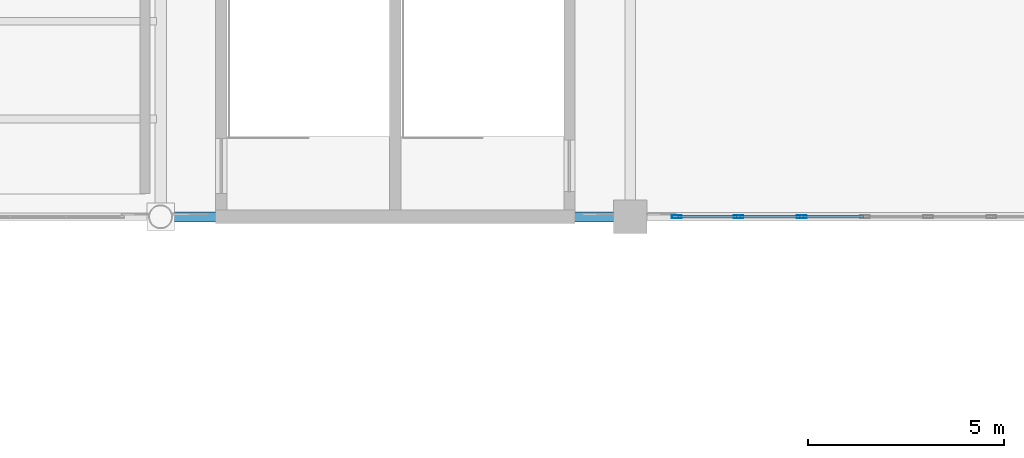
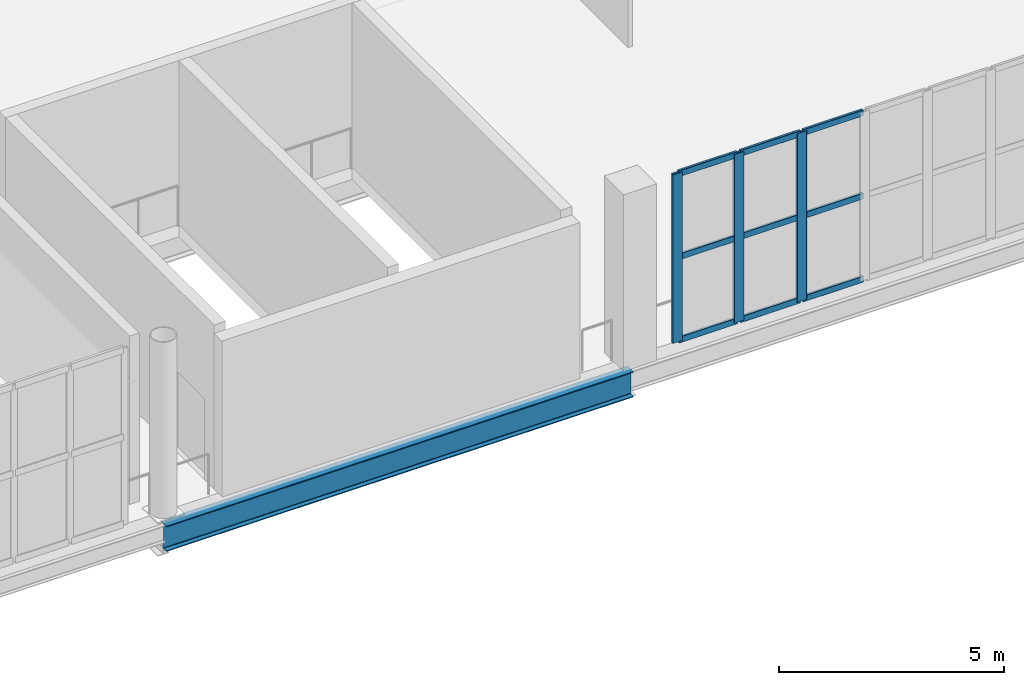
# One storey, part 8 of 49: 12 members, 1 beam, 1 element without a shape of its own.
"""IFC4 building model written with IfcOpenShell, lengths in metres."""

import ifcopenshell
import ifcopenshell.guid

model = None  # the IFC model being written
_history = None  # IfcOwnerHistory: only IFC2X3 demands one
_inside = {}  # id of a spatial element -> (the spatial element, [elements in it])
_under = {}  # id of a project, library or spatial element -> (it, [spatial elements below it])
_declared = {}  # id of a project -> (the project, [libraries it declares])
_typed = {}  # id of a type object -> (the type object, [elements of that type])
_made_of = {}  # id of a material, layer set ... -> (it, [elements and type objects made of it])


def new_model(schema):
    """Start an empty IFC model of exactly this schema.

    Asked for "IFC4X3", IfcOpenShell would pick the latest addendum, in which some entities
    have other attributes; the version numbers below select the first issue.
    IFC2X3 requires an IfcOwnerHistory on every rooted entity: one is made here for all.
    """
    global model, _history
    if schema == "IFC4X3":
        model = ifcopenshell.file(schema_version=(4, 3, 0, 0))
    else:
        model = ifcopenshell.file(schema=schema)
    _inside.clear()
    _under.clear()
    _declared.clear()
    _typed.clear()
    _made_of.clear()
    _history = None
    if model.schema == "IFC2X3":
        org = make("IfcOrganization", Name="unknown")
        user = make(
            "IfcPersonAndOrganization",
            ThePerson=make("IfcPerson", FamilyName="unknown"),
            TheOrganization=org,
        )
        app = make(
            "IfcApplication",
            ApplicationDeveloper=org,
            Version="unknown",
            ApplicationFullName="unknown",
            ApplicationIdentifier="unknown",
        )
        _history = make(
            "IfcOwnerHistory",
            OwningUser=user,
            OwningApplication=app,
            ChangeAction="ADDED",
            CreationDate=0,
        )
    return model


def make(cls, **values):
    """One entity of the class cls with the attributes given. An attribute that is None is left unset."""
    return model.create_entity(
        cls, **{name: value for name, value in values.items() if value is not None}
    )


def rooted(cls, **values):
    """An entity with a GlobalId (a new one), such as an element, a storey or a relation."""
    return make(cls, GlobalId=ifcopenshell.guid.new(), OwnerHistory=_history, **values)


def si_unit(unit_type, name, prefix=None):
    """IfcSIUnit, for example si_unit("LENGTHUNIT", "METRE", prefix="MILLI")."""
    return make("IfcSIUnit", UnitType=unit_type, Prefix=prefix, Name=name)


def assignment(units):
    """IfcUnitAssignment: the units of a project."""
    return None if units is None else make("IfcUnitAssignment", Units=units)


def point(xyz):
    """IfcCartesianPoint."""
    return None if xyz is None else make("IfcCartesianPoint", Coordinates=xyz)


def direction(xyz):
    """IfcDirection."""
    return None if xyz is None else make("IfcDirection", DirectionRatios=xyz)


def frame(location, z_axis=None, x_axis=None):
    """IfcAxis2Placement3D, a coordinate frame: its origin and axes. An axis left out is left unset."""
    return make(
        "IfcAxis2Placement3D",
        Location=point(location),
        Axis=direction(z_axis),
        RefDirection=direction(x_axis),
    )


def frame_2d(location, x_axis=None):
    """IfcAxis2Placement2D, a coordinate frame in the plane: its origin and x axis."""
    return make(
        "IfcAxis2Placement2D", Location=point(location), RefDirection=direction(x_axis)
    )


def origin():
    """The frame at (0, 0, 0) with its axes left unset."""
    return frame((0.0, 0.0, 0.0))


def origin_2d():
    """The frame at (0, 0) in the plane with its x axis left unset."""
    return frame_2d((0.0, 0.0))


def place(relative_to, where):
    """IfcLocalPlacement: puts the frame where relative to a parent placement (None: the world)."""
    return make(
        "IfcLocalPlacement", PlacementRelTo=relative_to, RelativePlacement=where
    )


def context(
    kind, dimensions, precision=None, world=None, true_north=None, identifier=None
):
    """IfcGeometricRepresentationContext, for example the 3D "Model" context."""
    return make(
        "IfcGeometricRepresentationContext",
        ContextIdentifier=identifier,
        ContextType=kind,
        CoordinateSpaceDimension=dimensions,
        Precision=precision,
        WorldCoordinateSystem=world,
        TrueNorth=true_north,
    )


def subcontext(parent, identifier, kind, view, scale=None):
    """IfcGeometricRepresentationSubContext, for example "Body" below "Model"."""
    return make(
        "IfcGeometricRepresentationSubContext",
        ContextIdentifier=identifier,
        ContextType=kind,
        ParentContext=parent,
        TargetScale=scale,
        TargetView=view,
    )


def project(units=None, contexts=None):
    """IfcProject with its units and contexts."""
    return rooted(
        "IfcProject",
        Name="project",
        RepresentationContexts=contexts,
        UnitsInContext=assignment(units),
    )


def spatial(cls, under=None, at=None, **own):
    """A site, building, storey or space (cls), placed at a placement, below another one or the project."""
    s = rooted(cls, ObjectPlacement=at, **own)
    if under is not None:
        _under.setdefault(under.id(), (under, []))[1].append(s)
    return s


def profile(cls, at=None, kind="AREA", **sizes):
    """A parametric profile (cls). Its sizes go by their IFC names, for example OverallWidth=200.0."""
    return make(cls, ProfileType=kind, Position=at, **sizes)


def hollow_rectangle(**sizes):
    """IfcRectangleHollowProfileDef."""
    return profile("IfcRectangleHollowProfileDef", **sizes)


def i_section(**sizes):
    """IfcIShapeProfileDef."""
    return profile("IfcIShapeProfileDef", **sizes)


def extrude(swept, where, along, depth):
    """IfcExtrudedAreaSolid: the profile swept, set in the frame where, extruded along a direction by depth."""
    return make(
        "IfcExtrudedAreaSolid",
        SweptArea=swept,
        Position=where,
        ExtrudedDirection=direction(along),
        Depth=depth,
    )


def shape(context_of_items, identifier, shape_type, items):
    """IfcShapeRepresentation: the items that make up one representation, for example the "Body"."""
    return make(
        "IfcShapeRepresentation",
        ContextOfItems=context_of_items,
        RepresentationIdentifier=identifier,
        RepresentationType=shape_type,
        Items=items,
    )


def material(Name=None, Category=None):
    """IfcMaterial."""
    return make("IfcMaterial", Name=Name, Category=Category)


def layer(
    of_material, thickness, ventilated=None, Name=None, Category=None, Priority=None
):
    """IfcMaterialLayer: one layer of a wall or slab, of a material (None: an air gap)."""
    return make(
        "IfcMaterialLayer",
        Material=of_material,
        LayerThickness=thickness,
        IsVentilated=ventilated,
        Name=Name,
        Category=Category,
        Priority=Priority,
    )


def layer_set(layers, Name=None):
    """IfcMaterialLayerSet."""
    return make("IfcMaterialLayerSet", MaterialLayers=layers, LayerSetName=Name)


def material_profile(
    of_material, cross_section, Name=None, Category=None, Priority=None
):
    """IfcMaterialProfile: a cross section and its material."""
    return make(
        "IfcMaterialProfile",
        Name=Name,
        Material=of_material,
        Profile=cross_section,
        Priority=Priority,
        Category=Category,
    )


def profile_set(profiles, Name=None, composite=None):
    """IfcMaterialProfileSet."""
    return make(
        "IfcMaterialProfileSet",
        Name=Name,
        MaterialProfiles=profiles,
        CompositeProfile=composite,
    )


def made_of(thing, what):
    """Note that an element or type object is made of a material, layer set ...; save() writes the relation."""
    if what is not None:
        _made_of.setdefault(what.id(), (what, []))[1].append(thing)
    return thing


def type_object(cls, material=None, **own):
    """A type object (cls), such as IfcWallType, which elements share."""
    return made_of(rooted(cls, **own), material)


def element(
    cls,
    number,
    at=None,
    inside=None,
    cuts=None,
    type_object=None,
    material=None,
    context=None,
    identifier="Body",
    shape_type=None,
    held_by="IfcProductDefinitionShape",
    body=None,
    shapes=None,
    **own,
):
    """One element of the class cls, such as IfcWall. Its Tag is "e" and its number.

    at: its placement. inside: the storey or other place that contains it. cuts: it is an
    opening in that element (IfcRelVoidsElement). A single representation is given by context,
    identifier, shape_type and body (its items); several are given by shapes. held_by: the class
    of the entity that holds the representations. save() writes the other relations.
    """
    e = rooted(cls, Tag="e%d" % number, ObjectPlacement=at, **own)
    if body is not None:
        shapes = [shape(context, identifier, shape_type, body)]
    if shapes is not None:
        e.Representation = make(held_by, Representations=shapes)
    if inside is not None:
        _inside.setdefault(inside.id(), (inside, []))[1].append(e)
    if cuts is not None:
        rooted(
            "IfcRelVoidsElement", RelatingBuildingElement=cuts, RelatedOpeningElement=e
        )
    if type_object is not None:
        _typed.setdefault(type_object.id(), (type_object, []))[1].append(e)
    return made_of(e, material)


def aggregate(whole, parts):
    """IfcRelAggregates: a whole, such as a stair, and the parts it consists of."""
    return rooted("IfcRelAggregates", RelatingObject=whole, RelatedObjects=parts)


def save(model, path):
    """Write the relations noted so far, then the file.

    IfcRelAggregates (storeys below a building ...), IfcRelContainedInSpatialStructure (elements
    in a storey), IfcRelDefinesByType, IfcRelAssociatesMaterial and IfcRelDeclares: one each for
    every whole, place, type object, material and project.
    """
    for whole, parts in _under.values():
        aggregate(whole, parts)
    for where, things in _inside.values():
        rooted(
            "IfcRelContainedInSpatialStructure",
            RelatedElements=things,
            RelatingStructure=where,
        )
    for kind, things in _typed.values():
        rooted("IfcRelDefinesByType", RelatedObjects=things, RelatingType=kind)
    for what, things in _made_of.values():
        rooted("IfcRelAssociatesMaterial", RelatedObjects=things, RelatingMaterial=what)
    for by, libraries in _declared.values():
        rooted("IfcRelDeclares", RelatingContext=by, RelatedDefinitions=libraries)
    model.write(path)


model = new_model("IFC4")

# Units and contexts
model_context = context("Model", 3, precision=1e-05, world=origin(), true_north=direction((0.0, 1.0)))
body_context = subcontext(model_context, "Body", "Model", "MODEL_VIEW")
ifc_project = project(units=[si_unit("LENGTHUNIT", "METRE"), si_unit("AREAUNIT", "SQUARE_METRE"), si_unit("VOLUMEUNIT", "CUBIC_METRE"), si_unit("PLANEANGLEUNIT", "RADIAN"), si_unit("MASSUNIT", "GRAM", prefix="KILO")], contexts=[model_context])

# Site, building, storey
site_placement = place(None, origin())
site = spatial("IfcSite", under=ifc_project, at=site_placement, CompositionType="ELEMENT")
building_placement = place(site_placement, origin())
building = spatial("IfcBuilding", under=site, at=building_placement, Name="Brinegate Civic Arena", CompositionType="ELEMENT")
storey_placement = place(building_placement, frame((0.0, 0.0, 24.60009765625)))
storey = spatial("IfcBuildingStorey", under=building, at=storey_placement, Name="L05", CompositionType="ELEMENT", Elevation=24.60009765625)

# Curtain wall, members
ifc_material_1 = material(Name="Marine grade aluminium", Category="aluminium")
ifc_layer = layer(ifc_material_1, 0.199951171875, Name="Marine grade aluminium")
ifc_layer_set = layer_set([ifc_layer], Name="Marine grade aluminium")
curtain_wall_type = type_object("IfcCurtainWallType", Name="CW-BOWL-GLAZED-01", PredefinedType="USERDEFINED", material=ifc_layer_set)
curtain_wall_placement = place(storey_placement, origin())
curtain_wall = element("IfcCurtainWall", 1, at=curtain_wall_placement, inside=storey, type_object=curtain_wall_type, Name="Curtain Wall CWA-165", ObjectType="GLAZED CURTAIN WALL", PredefinedType="USERDEFINED")
ifc_material_profile_1 = material_profile(ifc_material_1, hollow_rectangle(XDim=0.074951171875, YDim=0.25, WallThickness=0.006103515625, InnerFilletRadius=0.00390625, OuterFilletRadius=0.008056640625, at=origin_2d()), Name="MUL75X250")
ifc_profile_set_1 = profile_set([ifc_material_profile_1], Name="Marine grade aluminium")
member_type_1 = type_object("IfcMemberType", Name="CW-MULLION-75X250", PredefinedType="MULLION", material=ifc_profile_set_1)
member_1_placement = place(storey_placement, frame((73.1884765625, 10.0, 0.0), z_axis=(0.0, 0.0, 1.0), x_axis=(0.0, 1.0, 0.0)))
member_1 = element("IfcMember", 2, at=member_1_placement, type_object=member_type_1, Name="CWA-165 mullion 1", PredefinedType="MULLION", context=body_context, shape_type="SweptSolid", body=[
    extrude(hollow_rectangle(XDim=0.074951171875, YDim=0.25, WallThickness=0.006103515625, InnerFilletRadius=0.00390625, OuterFilletRadius=0.008056640625, at=origin_2d()), origin(), (0.0, 0.0, 1.0), 4.579833984375),
])
member_2_placement = place(storey_placement, frame((74.767333984375, 10.0, 0.0), z_axis=(0.0, 0.0, 1.0), x_axis=(0.0, 1.0, 0.0)))
member_2 = element("IfcMember", 3, at=member_2_placement, type_object=member_type_1, Name="CWA-165 mullion 2", PredefinedType="MULLION", context=body_context, shape_type="SweptSolid", body=[
    extrude(hollow_rectangle(XDim=0.074951171875, YDim=0.25, WallThickness=0.006103515625, InnerFilletRadius=0.00390625, OuterFilletRadius=0.008056640625, at=origin_2d()), origin(), (0.0, 0.0, 1.0), 4.579833984375),
])
member_3_placement = place(storey_placement, frame((76.383544921875, 10.0, 0.0), z_axis=(0.0, 0.0, 1.0), x_axis=(0.0, 1.0, 0.0)))
member_3 = element("IfcMember", 4, at=member_3_placement, type_object=member_type_1, Name="CWA-165 mullion 3", PredefinedType="MULLION", context=body_context, shape_type="SweptSolid", body=[
    extrude(hollow_rectangle(XDim=0.074951171875, YDim=0.25, WallThickness=0.006103515625, InnerFilletRadius=0.00390625, OuterFilletRadius=0.008056640625, at=origin_2d()), origin(), (0.0, 0.0, 1.0), 4.579833984375),
])
ifc_material_profile_2 = material_profile(ifc_material_1, hollow_rectangle(XDim=0.06494140625, YDim=0.1650390625, WallThickness=0.0048828125, InnerFilletRadius=0.00390625, OuterFilletRadius=0.008056640625, at=origin_2d()), Name="TRN65X165")
ifc_profile_set_2 = profile_set([ifc_material_profile_2], Name="Marine grade aluminium")
member_type_2 = type_object("IfcMemberType", Name="CW-TRANSOM-65X165", PredefinedType="USERDEFINED", material=ifc_profile_set_2)
member_4_placement = place(storey_placement, frame((73.22607421875, 10.0, 0.032470703125), z_axis=(1.0, 0.0, 0.0), x_axis=(0.0, 1.0, 0.0)))
member_4 = element("IfcMember", 5, at=member_4_placement, type_object=member_type_2, Name="CWA-165 transom 1.1", ObjectType="TRANSOM", PredefinedType="USERDEFINED", context=body_context, shape_type="SweptSolid", body=[
    extrude(hollow_rectangle(XDim=0.06494140625, YDim=0.1650390625, WallThickness=0.0048828125, InnerFilletRadius=0.00390625, OuterFilletRadius=0.008056640625, at=origin_2d()), origin(), (0.0, 0.0, 1.0), 1.503662109375),
])
member_5_placement = place(storey_placement, frame((73.22607421875, 10.0, 2.289794921875), z_axis=(1.0, 0.0, 0.0), x_axis=(0.0, 1.0, 0.0)))
member_5 = element("IfcMember", 6, at=member_5_placement, type_object=member_type_2, Name="CWA-165 transom 1.2", ObjectType="TRANSOM", PredefinedType="USERDEFINED", context=body_context, shape_type="SweptSolid", body=[
    extrude(hollow_rectangle(XDim=0.06494140625, YDim=0.1650390625, WallThickness=0.0048828125, InnerFilletRadius=0.00390625, OuterFilletRadius=0.008056640625, at=origin_2d()), origin(), (0.0, 0.0, 1.0), 1.503662109375),
])
member_6_placement = place(storey_placement, frame((73.22607421875, 10.0, 4.54736328125), z_axis=(1.0, 0.0, 0.0), x_axis=(0.0, 1.0, 0.0)))
member_6 = element("IfcMember", 7, at=member_6_placement, type_object=member_type_2, Name="CWA-165 transom 1.3", ObjectType="TRANSOM", PredefinedType="USERDEFINED", context=body_context, shape_type="SweptSolid", body=[
    extrude(hollow_rectangle(XDim=0.06494140625, YDim=0.1650390625, WallThickness=0.0048828125, InnerFilletRadius=0.00390625, OuterFilletRadius=0.008056640625, at=origin_2d()), origin(), (0.0, 0.0, 1.0), 1.503662109375),
])
member_7_placement = place(storey_placement, frame((74.804931640625, 10.0, 0.032470703125), z_axis=(1.0, 0.0, 0.0), x_axis=(0.0, 1.0, 0.0)))
member_7 = element("IfcMember", 8, at=member_7_placement, type_object=member_type_2, Name="CWA-165 transom 2.1", ObjectType="TRANSOM", PredefinedType="USERDEFINED", context=body_context, shape_type="SweptSolid", body=[
    extrude(hollow_rectangle(XDim=0.06494140625, YDim=0.1650390625, WallThickness=0.0048828125, InnerFilletRadius=0.00390625, OuterFilletRadius=0.008056640625, at=origin_2d()), origin(), (0.0, 0.0, 1.0), 1.541259765625),
])
member_8_placement = place(storey_placement, frame((74.804931640625, 10.0, 2.289794921875), z_axis=(1.0, 0.0, 0.0), x_axis=(0.0, 1.0, 0.0)))
member_8 = element("IfcMember", 9, at=member_8_placement, type_object=member_type_2, Name="CWA-165 transom 2.2", ObjectType="TRANSOM", PredefinedType="USERDEFINED", context=body_context, shape_type="SweptSolid", body=[
    extrude(hollow_rectangle(XDim=0.06494140625, YDim=0.1650390625, WallThickness=0.0048828125, InnerFilletRadius=0.00390625, OuterFilletRadius=0.008056640625, at=origin_2d()), origin(), (0.0, 0.0, 1.0), 1.541259765625),
])
member_9_placement = place(storey_placement, frame((74.804931640625, 10.0, 4.54736328125), z_axis=(1.0, 0.0, 0.0), x_axis=(0.0, 1.0, 0.0)))
member_9 = element("IfcMember", 10, at=member_9_placement, type_object=member_type_2, Name="CWA-165 transom 2.3", ObjectType="TRANSOM", PredefinedType="USERDEFINED", context=body_context, shape_type="SweptSolid", body=[
    extrude(hollow_rectangle(XDim=0.06494140625, YDim=0.1650390625, WallThickness=0.0048828125, InnerFilletRadius=0.00390625, OuterFilletRadius=0.008056640625, at=origin_2d()), origin(), (0.0, 0.0, 1.0), 1.541259765625),
])
member_10_placement = place(storey_placement, frame((76.421142578125, 10.0, 0.032470703125), z_axis=(1.0, 0.0, 0.0), x_axis=(0.0, 1.0, 0.0)))
member_10 = element("IfcMember", 11, at=member_10_placement, type_object=member_type_2, Name="CWA-165 transom 3.1", ObjectType="TRANSOM", PredefinedType="USERDEFINED", context=body_context, shape_type="SweptSolid", body=[
    extrude(hollow_rectangle(XDim=0.06494140625, YDim=0.1650390625, WallThickness=0.0048828125, InnerFilletRadius=0.00390625, OuterFilletRadius=0.008056640625, at=origin_2d()), origin(), (0.0, 0.0, 1.0), 1.541259765625),
])
member_11_placement = place(storey_placement, frame((76.421142578125, 10.0, 2.289794921875), z_axis=(1.0, 0.0, 0.0), x_axis=(0.0, 1.0, 0.0)))
member_11 = element("IfcMember", 12, at=member_11_placement, type_object=member_type_2, Name="CWA-165 transom 3.2", ObjectType="TRANSOM", PredefinedType="USERDEFINED", context=body_context, shape_type="SweptSolid", body=[
    extrude(hollow_rectangle(XDim=0.06494140625, YDim=0.1650390625, WallThickness=0.0048828125, InnerFilletRadius=0.00390625, OuterFilletRadius=0.008056640625, at=origin_2d()), origin(), (0.0, 0.0, 1.0), 1.541259765625),
])
member_12_placement = place(storey_placement, frame((76.421142578125, 10.0, 4.54736328125), z_axis=(1.0, 0.0, 0.0), x_axis=(0.0, 1.0, 0.0)))
member_12 = element("IfcMember", 13, at=member_12_placement, type_object=member_type_2, Name="CWA-165 transom 3.3", ObjectType="TRANSOM", PredefinedType="USERDEFINED", context=body_context, shape_type="SweptSolid", body=[
    extrude(hollow_rectangle(XDim=0.06494140625, YDim=0.1650390625, WallThickness=0.0048828125, InnerFilletRadius=0.00390625, OuterFilletRadius=0.008056640625, at=origin_2d()), origin(), (0.0, 0.0, 1.0), 1.541259765625),
])
aggregate(curtain_wall, [member_1, member_2, member_3, member_4, member_5, member_6, member_7, member_8, member_9, member_10, member_11, member_12])

# Beam
ifc_material_2 = material(Name="Steel S355", Category="steel")
ifc_material_profile_3 = material_profile(ifc_material_2, i_section(OverallWidth=0.256103515625, OverallDepth=0.693115234375, WebThickness=0.014892578125, FlangeThickness=0.02392578125, FilletRadius=0.01806640625, at=origin_2d()), Name="W690X170")
ifc_profile_set_3 = profile_set([ifc_material_profile_3], Name="Steel S355")
beam_type = type_object("IfcBeamType", Name="SPANDREL-W690X170", PredefinedType="SPANDREL", material=ifc_profile_set_3)
beam_placement = place(storey_placement, frame((60.0, 10.0, -0.676025390625), z_axis=(1.0, 0.0, 0.0), x_axis=(0.0, 1.0, 0.0)))
element("IfcBeam", 14, at=beam_placement, inside=storey, type_object=beam_type, Name="Floor Girder BM-L05-GX-05-01", PredefinedType="SPANDREL", context=body_context, shape_type="SweptSolid", body=[
    extrude(i_section(OverallWidth=0.256103515625, OverallDepth=0.693115234375, WebThickness=0.014892578125, FlangeThickness=0.02392578125, FilletRadius=0.01806640625, at=origin_2d()), origin(), (0.0, 0.0, 1.0), 12.0),
])

save(model, "model.ifc")
